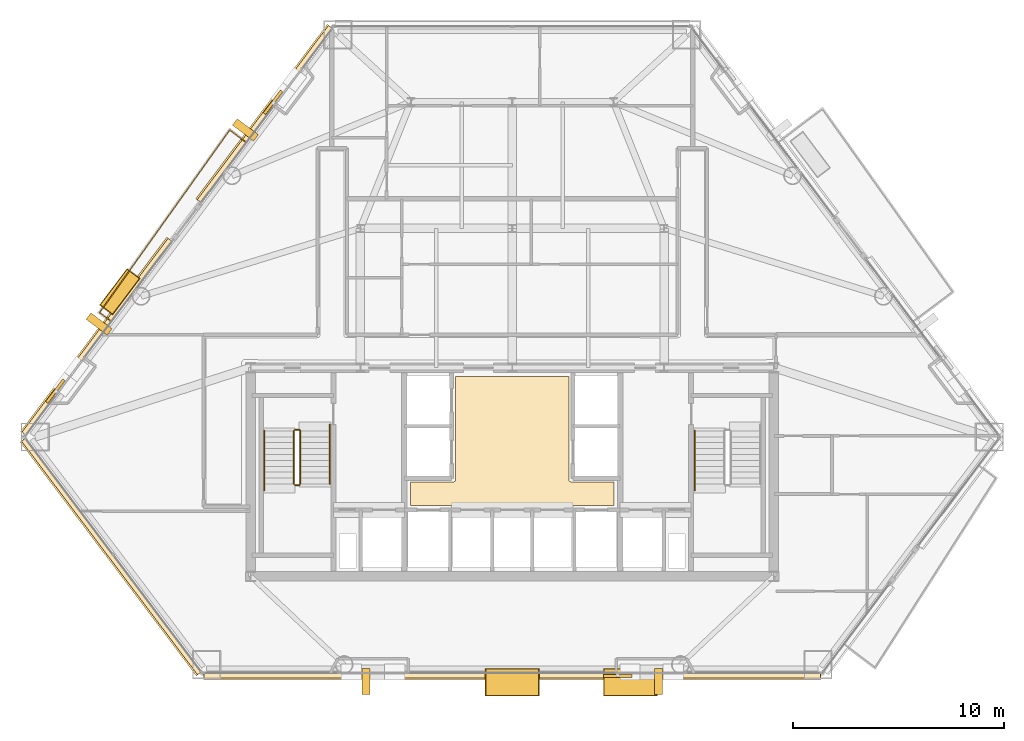
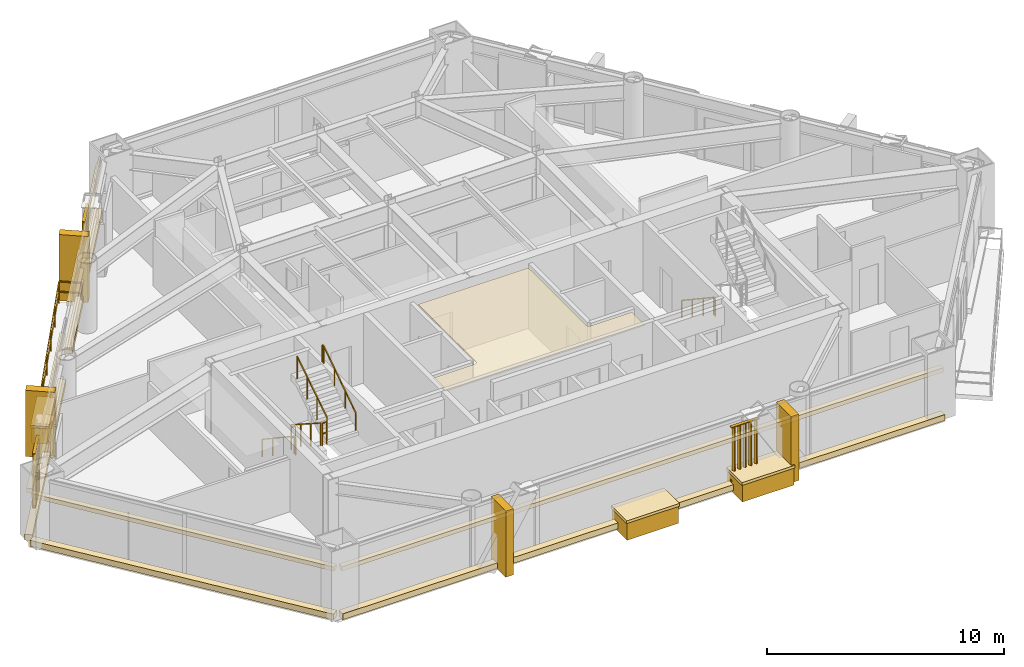
# One storey, part 10 of 11: 19 coverings, 8 railings, 3 shading devices.
"""IFC4 building model written with IfcOpenShell, lengths in metres."""

from ifc_helpers import new_model, si_unit, direction, frame, origin, origin_2d, place, context, subcontext, project, spatial, polyline, rectangle, outline, extrude, source, transform, mapped, material, layer, layer_set, type_object, type_shapes, element, save


model = new_model("IFC4")

# Units and contexts
model_context = context("Model", 3, precision=1e-05, world=origin(), true_north=direction((0.0, 1.0)))
body_context = subcontext(model_context, "Body", "Model", "MODEL_VIEW")
ifc_project = project(units=[si_unit("LENGTHUNIT", "METRE"), si_unit("AREAUNIT", "SQUARE_METRE"), si_unit("VOLUMEUNIT", "CUBIC_METRE"), si_unit("PLANEANGLEUNIT", "RADIAN"), si_unit("MASSUNIT", "GRAM", prefix="KILO")], contexts=[model_context])

# Site, building, storey
site_placement = place(None, origin())
site = spatial("IfcSite", under=ifc_project, at=site_placement, CompositionType="ELEMENT")
building_placement = place(site_placement, origin())
building = spatial("IfcBuilding", under=site, at=building_placement, Name="Talgorran Terracotta Tower", CompositionType="ELEMENT")
storey_placement = place(building_placement, frame((0.0, 0.0, 27.89990234375)))
storey = spatial("IfcBuildingStorey", under=building, at=storey_placement, Name="L06", CompositionType="ELEMENT", Elevation=27.89990234375)

# Coverings
ifc_material_1 = material(Name="Kiln-Fired Terracotta Ochre Ceramic", Category="masonry")
ifc_layer_1 = layer(ifc_material_1, 0.179931640625, Name="COV_BAGUETTE_TERRACOTTA_SCREEN")
ifc_layer_set_1 = layer_set([ifc_layer_1], Name="Kiln-Fired Terracotta Ochre Ceramic")
covering_type_1 = type_object("IfcCoveringType", Name="COV_BAGUETTE_TERRACOTTA_SCREEN", PredefinedType="CLADDING", material=ifc_layer_set_1)
covering_1_placement = place(storey_placement, frame((-18.9912109375, -13.1455078125, 2.41015625), z_axis=(0.0, 0.0, 1.0), x_axis=(0.601815023152, -0.798635510047, 0.0)))
element("IfcCovering", 1, at=covering_1_placement, inside=storey, type_object=covering_type_1, Name="L06 Terracotta Baguette Solar Screen Assembly F0", PredefinedType="CLADDING", context=body_context, shape_type="SweptSolid", body=[
    extrude(rectangle(XDim=13.870849609375, YDim=0.260009765625, at=origin_2d()), origin(), (0.0, 0.0, 1.0), 0.219970703125),
])
covering_2_placement = place(storey_placement, frame((0.0, -18.780029296875, 2.41015625), z_axis=(0.0, 0.0, 1.0), x_axis=(1.0, 0.0, 0.0)))
element("IfcCovering", 2, at=covering_2_placement, inside=storey, type_object=covering_type_1, Name="L06 Terracotta Baguette Solar Screen Assembly F1", PredefinedType="CLADDING", context=body_context, shape_type="SweptSolid", body=[
    extrude(rectangle(XDim=29.250732421875, YDim=0.260009765625, at=origin_2d()), origin(), (0.0, 0.0, 1.0), 0.219970703125),
])
covering_3_placement = place(storey_placement, frame((-11.719970703125, 7.813720703125, 2.41015625), z_axis=(0.0, 0.0, 1.0), x_axis=(-0.601801084241, -0.798646013579, 0.0)))
element("IfcCovering", 3, at=covering_3_placement, inside=storey, type_object=covering_type_1, Name="L06 Terracotta Baguette Solar Screen Assembly F60", PredefinedType="CLADDING", context=body_context, shape_type="SweptSolid", body=[
    extrude(rectangle(XDim=10.33984375, YDim=0.260009765625, at=origin_2d()), origin(), (0.0, 0.0, 1.0), 0.219970703125),
])
covering_4_placement = place(storey_placement, frame((-19.67822265625, -2.747314453125, 2.41015625), z_axis=(0.0, 0.0, 1.0), x_axis=(-0.601815023152, -0.798635510047, 0.0)))
element("IfcCovering", 4, at=covering_4_placement, inside=storey, type_object=covering_type_1, Name="L06 Terracotta Baguette Solar Screen Assembly F61", PredefinedType="CLADDING", context=body_context, shape_type="SweptSolid", body=[
    extrude(rectangle(XDim=11.5078125, YDim=0.260009765625, at=origin_2d()), origin(), (0.0, 0.0, 1.0), 0.219970703125),
])
ifc_material_2 = material(Name="Flush Moisture-Resistant Plaster")
ifc_layer_2 = layer(ifc_material_2, 0.01806640625, Name="COV_CEIL_PLASTER")
ifc_layer_set_2 = layer_set([ifc_layer_2], Name="Flush Moisture-Resistant Plaster")
covering_type_2 = type_object("IfcCoveringType", Name="COV_CEIL_PLASTER", PredefinedType="CEILING", material=ifc_layer_set_2)
covering_5_placement = place(storey_placement, frame((0.0, 0.0, 3.260009765625)))
element("IfcCovering", 5, at=covering_5_placement, inside=storey, type_object=covering_type_2, Name="CEIL-L06-1", PredefinedType="CEILING", context=body_context, shape_type="SweptSolid", body=[
    extrude(outline(polyline([(-4.830078125, -9.6201171875), (-2.800048828125, -9.6201171875), (-2.7880859375, -9.619384765625), (-2.776611328125, -9.61767578125), (-2.76513671875, -9.61474609375), (-2.754150390625, -9.61083984375), (-2.743408203125, -9.605712890625), (-2.7333984375, -9.599853515625), (-2.723876953125, -9.5927734375), (-2.715087890625, -9.5849609375), (-2.707275390625, -9.576171875), (-2.7001953125, -9.566650390625), (-2.694091796875, -9.556640625), (-2.689208984375, -9.5458984375), (-2.685302734375, -9.534912109375), (-2.682373046875, -9.5234375), (-2.6806640625, -9.51171875), (-2.679931640625, -9.5), (-2.679931640625, -4.6201171875), (2.679931640625, -4.6201171875), (2.679931640625, -9.5), (2.6806640625, -9.51171875), (2.682373046875, -9.5234375), (2.685302734375, -9.534912109375), (2.689208984375, -9.5458984375), (2.694091796875, -9.556640625), (2.7001953125, -9.566650390625), (2.707275390625, -9.576171875), (2.715087890625, -9.5849609375), (2.723876953125, -9.5927734375), (2.7333984375, -9.599853515625), (2.743408203125, -9.605712890625), (2.754150390625, -9.61083984375), (2.76513671875, -9.61474609375), (2.776611328125, -9.61767578125), (2.7880859375, -9.619384765625), (2.800048828125, -9.6201171875), (4.830078125, -9.6201171875), (4.830078125, -10.72998046875), (-4.830078125, -10.72998046875), (-4.830078125, -9.6201171875)])), origin(), (0.0, 0.0, 1.0), 0.02001953125),
])
ifc_material_3 = material(Name="Honed Limestone and Terracotta Planter", Category="masonry")
ifc_layer_3 = layer(ifc_material_3, 0.1201171875, Name="COV_PLANTER_BOX")
ifc_layer_set_3 = layer_set([ifc_layer_3], Name="Honed Limestone and Terracotta Planter")
covering_type_3 = type_object("IfcCoveringType", Name="COV_PLANTER_BOX", PredefinedType="CLADDING", material=ifc_layer_set_3)
for number, where, z_axis, x_axis, name in (
    (6, (0.0, -19.1201171875, -0.179931640625), (0.0, 0.0, 1.0), (1.0, 0.0, 0.0), "L06 Staggered South Facade Planter Box 1"),
    (7, (5.60693359375, -19.1201171875, -0.179931640625), (0.0, 0.0, 1.0), (1.0, 0.0, 0.0), "L06 Staggered South Facade Planter Box 2"),
):
    element("IfcCovering", number, at=place(storey_placement, frame(where, z_axis=z_axis, x_axis=x_axis)), inside=storey, type_object=covering_type_3, Name=name, PredefinedType="CLADDING", context=body_context, shape_type="SweptSolid", body=[
        extrude(rectangle(XDim=2.5, YDim=1.25, at=origin_2d()), origin(), (0.0, 0.0, 1.0), 0.919921875),
    ])
covering_6_placement = place(storey_placement, frame((-18.60498046875, -0.60009765625, -0.02001953125), z_axis=(0.0, 0.0, 1.0), x_axis=(-0.601815023152, -0.798635510047, 0.0)))
element("IfcCovering", 8, at=covering_6_placement, inside=storey, type_object=covering_type_3, Name="L06 Staggered Balcony Planter Box BAL-NW", PredefinedType="CLADDING", context=body_context, shape_type="SweptSolid", body=[
    extrude(rectangle(XDim=2.10009765625, YDim=0.719970703125, at=origin_2d()), origin(), (0.0, 0.0, 1.0), 0.860107421875),
])
ifc_material_4 = material(Name="Kiln-Fired Terracotta Planter Rim", Category="masonry")
ifc_layer_4 = layer(ifc_material_4, 0.10009765625, Name="COV_PLANTER_RIM")
ifc_layer_set_4 = layer_set([ifc_layer_4], Name="Kiln-Fired Terracotta Planter Rim")
covering_type_4 = type_object("IfcCoveringType", Name="COV_PLANTER_RIM", PredefinedType="CLADDING", material=ifc_layer_set_4)
for number, where, z_axis, x_axis, name in (
    (9, (0.0, -19.1201171875, 0.7099609375), (0.0, 0.0, 1.0), (1.0, 0.0, 0.0), "L06 South Planter Terracotta Rim 1"),
    (10, (5.60693359375, -19.1201171875, 0.7099609375), (0.0, 0.0, 1.0), (1.0, 0.0, 0.0), "L06 South Planter Terracotta Rim 2"),
):
    element("IfcCovering", number, at=place(storey_placement, frame(where, z_axis=z_axis, x_axis=x_axis)), inside=storey, type_object=covering_type_4, Name=name, PredefinedType="CLADDING", context=body_context, shape_type="SweptSolid", body=[
        extrude(rectangle(XDim=2.580078125, YDim=1.320068359375, at=origin_2d()), origin(), (0.0, 0.0, 1.0), 0.139892578125),
    ])
covering_7_placement = place(storey_placement, frame((-18.60498046875, -0.60009765625, 0.800048828125), z_axis=(0.0, 0.0, 1.0), x_axis=(-0.601815023152, -0.798635510047, 0.0)))
element("IfcCovering", 11, at=covering_7_placement, inside=storey, type_object=covering_type_4, Name="L06 Balcony Planter Terracotta Rim BAL-NW", PredefinedType="CLADDING", context=body_context, shape_type="SweptSolid", body=[
    extrude(rectangle(XDim=2.179931640625, YDim=0.780029296875, at=origin_2d()), origin(), (0.0, 0.0, 1.0), 0.1201171875),
])
ifc_material_5 = material(Name="Honed Limestone Cladding", Category="masonry")
ifc_layer_5 = layer(ifc_material_5, 0.094970703125, Name="COV_PORTAL_LIME")
ifc_layer_set_5 = layer_set([ifc_layer_5], Name="Honed Limestone Cladding")
covering_type_5 = type_object("IfcCoveringType", Name="COV_PORTAL_LIME", PredefinedType="CLADDING", material=ifc_layer_set_5)
covering_8_placement = place(storey_placement, frame((-19.023193359375, -13.16943359375, -0.0400390625), z_axis=(0.0, 0.0, 1.0), x_axis=(0.601815023152, -0.798635510047, 0.0)))
element("IfcCovering", 12, at=covering_8_placement, inside=storey, type_object=covering_type_5, Name="L06 Striped Postmodern Portal Cladding Band F0", PredefinedType="CLADDING", context=body_context, shape_type="SweptSolid", body=[
    extrude(rectangle(XDim=13.890869140625, YDim=0.340087890625, at=origin_2d()), origin(), (0.0, 0.0, 1.0), 0.300048828125),
])
covering_9_placement = place(storey_placement, frame((0.0, -18.820068359375, -0.0400390625), z_axis=(0.0, 0.0, 1.0), x_axis=(1.0, 0.0, 0.0)))
element("IfcCovering", 13, at=covering_9_placement, inside=storey, type_object=covering_type_5, Name="L06 Striped Postmodern Portal Cladding Band F1", PredefinedType="CLADDING", context=body_context, shape_type="SweptSolid", body=[
    extrude(rectangle(XDim=29.270751953125, YDim=0.340087890625, at=origin_2d()), origin(), (0.0, 0.0, 1.0), 0.300048828125),
])
covering_10_placement = place(storey_placement, frame((-11.751953125, 7.837890625, -0.0400390625), z_axis=(0.0, 0.0, 1.0), x_axis=(-0.601801084241, -0.798646013579, 0.0)))
element("IfcCovering", 14, at=covering_10_placement, inside=storey, type_object=covering_type_5, Name="L06 Striped Postmodern Portal Cladding Band F60", PredefinedType="CLADDING", context=body_context, shape_type="SweptSolid", body=[
    extrude(rectangle(XDim=10.35986328125, YDim=0.340087890625, at=origin_2d()), origin(), (0.0, 0.0, 1.0), 0.300048828125),
])
covering_11_placement = place(storey_placement, frame((-19.710205078125, -2.72314453125, -0.0400390625), z_axis=(0.0, 0.0, 1.0), x_axis=(-0.601815023152, -0.798635510047, 0.0)))
element("IfcCovering", 15, at=covering_11_placement, inside=storey, type_object=covering_type_5, Name="L06 Striped Postmodern Portal Cladding Band F61", PredefinedType="CLADDING", context=body_context, shape_type="SweptSolid", body=[
    extrude(rectangle(XDim=11.527587890625, YDim=0.340087890625, at=origin_2d()), origin(), (0.0, 0.0, 1.0), 0.300048828125),
])
for number, where, z_axis, x_axis, name in (
    (16, (6.934814453125, -19.080078125, -0.0498046875), (0.0, 0.0, 1.0), (1.0, 0.0, 0.0), "L06 White Striped Portal Fin F1-2"),
    (17, (-19.591064453125, -2.133056640625, -0.0498046875), (0.0, 0.0, 1.0), (-0.601815023152, -0.798635510047, 0.0), "L06 White Striped Portal Fin F5-2"),
):
    element("IfcCovering", number, at=place(storey_placement, frame(where, z_axis=z_axis, x_axis=x_axis)), inside=storey, type_object=covering_type_5, Name=name, PredefinedType="CLADDING", context=body_context, shape_type="SweptSolid", body=[
        extrude(rectangle(XDim=0.3798828125, YDim=1.25, at=origin_2d()), origin(), (0.0, 0.0, 1.0), 3.39990234375),
    ])
ifc_material_6 = material(Name="Kiln-Fired Terracotta Cladding", Category="masonry")
ifc_layer_6 = layer(ifc_material_6, 0.090087890625, Name="COV_PORTAL_TERRA")
ifc_layer_set_6 = layer_set([ifc_layer_6], Name="Kiln-Fired Terracotta Cladding")
covering_type_6 = type_object("IfcCoveringType", Name="COV_PORTAL_TERRA", PredefinedType="CLADDING", material=ifc_layer_set_6)
for number, where, z_axis, x_axis, name in (
    (18, (-6.934814453125, -19.080078125, -0.0498046875), (0.0, 0.0, 1.0), (1.0, 0.0, 0.0), "L06 Terracotta Striped Portal Fin F1-1"),
    (19, (-12.656005859375, 7.070068359375, -0.0498046875), (0.0, 0.0, 1.0), (-0.601815023152, -0.798635510047, 0.0), "L06 Terracotta Striped Portal Fin F5-1"),
):
    element("IfcCovering", number, at=place(storey_placement, frame(where, z_axis=z_axis, x_axis=x_axis)), inside=storey, type_object=covering_type_6, Name=name, PredefinedType="CLADDING", context=body_context, shape_type="SweptSolid", body=[
        extrude(rectangle(XDim=0.3798828125, YDim=1.25, at=origin_2d()), origin(), (0.0, 0.0, 1.0), 3.39990234375),
    ])

# Railings
ifc_material_7 = material(Name="Laminated Glass and Stainless Steel 316", Category="steel")
railing_type_1 = type_object("IfcRailingType", Name="RL_BALCONY_1150", PredefinedType="BALUSTRADE", material=ifc_material_7)
railing_1_placement = place(storey_placement, frame((-12.6220703125, 6.483642578125, 0.0)))
element("IfcRailing", 20, at=railing_1_placement, inside=storey, type_object=railing_type_1, Name="RL-L06-BAL-BAL-NW", PredefinedType="BALUSTRADE", context=body_context, shape_type="SweptSolid", body=[
    extrude(rectangle(XDim=0.048095703125, YDim=0.048095703125, at=origin_2d()), frame((0.0, 0.0, 1.1259765625), z_axis=(-0.798605457293, 0.601854902432, 0.0), x_axis=(-0.601854902432, -0.798605457293, 0.0)), (0.0, 0.0, 1.0), 0.9677734375),
    extrude(rectangle(XDim=0.048095703125, YDim=0.048095703125, at=origin_2d()), frame((0.0, 0.0, 0.597900390625), z_axis=(-0.798605457293, 0.601854902432, 0.0), x_axis=(-0.601854902432, -0.798605457293, 0.0)), (0.0, 0.0, 1.0), 0.9677734375),
    extrude(rectangle(XDim=0.048095703125, YDim=0.048095703125, at=origin_2d()), frame((-0.77294921875, 0.58251953125, 1.1259765625), z_axis=(-0.580345042591, -0.814370696637, 0.0), x_axis=(0.814370696637, -0.580345042591, 0.0)), (0.0, 0.0, 1.0), 10.631591796875),
    extrude(rectangle(XDim=0.048095703125, YDim=0.048095703125, at=origin_2d()), frame((-0.77294921875, 0.58251953125, 0.597900390625), z_axis=(-0.580345042591, -0.814370696637, 0.0), x_axis=(0.814370696637, -0.580345042591, 0.0)), (0.0, 0.0, 1.0), 10.631591796875),
    extrude(rectangle(XDim=0.048095703125, YDim=0.048095703125, at=origin_2d()), frame((-6.94287109375, -8.075439453125, 1.1259765625), z_axis=(0.798457482999, -0.60205120035, 0.0), x_axis=(0.60205120035, 0.798457482999, 0.0)), (0.0, 0.0, 1.0), 0.684814453125),
    extrude(rectangle(XDim=0.048095703125, YDim=0.048095703125, at=origin_2d()), frame((-6.94287109375, -8.075439453125, 0.597900390625), z_axis=(0.798457482999, -0.60205120035, 0.0), x_axis=(0.60205120035, 0.798457482999, 0.0)), (0.0, 0.0, 1.0), 0.684814453125),
    extrude(rectangle(XDim=0.0419921875, YDim=0.0419921875, at=origin_2d()), origin(), (0.0, 0.0, 1.0), 1.101806640625),
    extrude(rectangle(XDim=0.0419921875, YDim=0.0419921875, at=origin_2d()), frame((-0.77294921875, 0.58251953125, 0.0)), (0.0, 0.0, 1.0), 1.101806640625),
    extrude(rectangle(XDim=0.0419921875, YDim=0.0419921875, at=origin_2d()), frame((-1.80126953125, -0.8603515625, 0.0)), (0.0, 0.0, 1.0), 1.101806640625),
    extrude(rectangle(XDim=0.0419921875, YDim=0.0419921875, at=origin_2d()), frame((-2.82958984375, -2.303466796875, 0.0)), (0.0, 0.0, 1.0), 1.101806640625),
    extrude(rectangle(XDim=0.0419921875, YDim=0.0419921875, at=origin_2d()), frame((-3.85791015625, -3.74658203125, 0.0)), (0.0, 0.0, 1.0), 1.101806640625),
    extrude(rectangle(XDim=0.0419921875, YDim=0.0419921875, at=origin_2d()), frame((-4.88623046875, -5.189453125, 0.0)), (0.0, 0.0, 1.0), 1.101806640625),
    extrude(rectangle(XDim=0.0419921875, YDim=0.0419921875, at=origin_2d()), frame((-5.91455078125, -6.63232421875, 0.0)), (0.0, 0.0, 1.0), 1.101806640625),
    extrude(rectangle(XDim=0.0419921875, YDim=0.0419921875, at=origin_2d()), frame((-6.94287109375, -8.075439453125, 0.0)), (0.0, 0.0, 1.0), 1.101806640625),
    extrude(rectangle(XDim=0.0419921875, YDim=0.0419921875, at=origin_2d()), frame((-6.39599609375, -8.48779296875, 0.0)), (0.0, 0.0, 1.0), 1.101806640625),
])
ifc_material_8 = material(Name="Steel S355 (300PLUS)", Category="steel")
railing_type_2 = type_object("IfcRailingType", Name="RL_HANDRAIL_920", PredefinedType="HANDRAIL", material=ifc_material_8)
railing_2_placement = place(storey_placement, frame((-11.75, -7.199951171875, 0.18017578125)))
element("IfcRailing", 21, at=railing_2_placement, inside=storey, type_object=railing_type_2, Name="L06 ST-01 stair handrail 1", PredefinedType="HANDRAIL", context=body_context, shape_type="SweptSolid", body=[
    extrude(rectangle(XDim=0.048095703125, YDim=0.048095703125, at=origin_2d()), frame((0.0, 0.0, 0.89599609375), z_axis=(0.0, -0.832073444223, 0.554665469827), x_axis=(1.0, 0.0, 0.0)), (0.0, 0.0, 1.0), 3.244873046875),
    extrude(rectangle(XDim=0.048095703125, YDim=0.048095703125, at=origin_2d()), frame((0.0, -2.699951171875, 2.69580078125), z_axis=(0.0, -1.0, 0.0), x_axis=(1.0, 0.0, 0.0)), (0.0, 0.0, 1.0), 0.1201171875),
    extrude(rectangle(XDim=0.0419921875, YDim=0.0419921875, at=origin_2d()), origin(), (0.0, 0.0, 1.0), 0.871826171875),
    extrude(rectangle(XDim=0.0419921875, YDim=0.0419921875, at=origin_2d()), frame((0.0, -0.89990234375, 0.599853515625)), (0.0, 0.0, 1.0), 0.871826171875),
    extrude(rectangle(XDim=0.0419921875, YDim=0.0419921875, at=origin_2d()), frame((0.0, -1.800048828125, 1.199951171875)), (0.0, 0.0, 1.0), 0.871826171875),
    extrude(rectangle(XDim=0.0419921875, YDim=0.0419921875, at=origin_2d()), frame((0.0, -2.699951171875, 1.7998046875)), (0.0, 0.0, 1.0), 0.871826171875),
    extrude(rectangle(XDim=0.0419921875, YDim=0.0419921875, at=origin_2d()), frame((0.0, -2.820068359375, 1.7998046875)), (0.0, 0.0, 1.0), 0.871826171875),
])
railing_3_placement = place(storey_placement, frame((-8.64990234375, -9.719970703125, 1.97998046875)))
element("IfcRailing", 22, at=railing_3_placement, inside=storey, type_object=railing_type_2, Name="L06 ST-01 stair handrail 2", PredefinedType="HANDRAIL", context=body_context, shape_type="SweptSolid", body=[
    extrude(rectangle(XDim=0.048095703125, YDim=0.048095703125, at=origin_2d()), frame((0.0, 0.0, 0.89599609375), z_axis=(0.0, 0.832038719335, 0.554717558338), x_axis=(-1.0, 0.0, 0.0)), (0.0, 0.0, 1.0), 3.244873046875),
    extrude(rectangle(XDim=0.048095703125, YDim=0.048095703125, at=origin_2d()), frame((0.0, 2.699951171875, 2.69580078125), z_axis=(0.0, 1.0, 0.0), x_axis=(-1.0, 0.0, 0.0)), (0.0, 0.0, 1.0), 0.1201171875),
    extrude(rectangle(XDim=0.0419921875, YDim=0.0419921875, at=origin_2d()), origin(), (0.0, 0.0, 1.0), 0.871826171875),
    extrude(rectangle(XDim=0.0419921875, YDim=0.0419921875, at=origin_2d()), frame((0.0, 0.89990234375, 0.60009765625)), (0.0, 0.0, 1.0), 0.871826171875),
    extrude(rectangle(XDim=0.0419921875, YDim=0.0419921875, at=origin_2d()), frame((0.0, 1.800048828125, 1.199951171875)), (0.0, 0.0, 1.0), 0.871826171875),
    extrude(rectangle(XDim=0.0419921875, YDim=0.0419921875, at=origin_2d()), frame((0.0, 2.699951171875, 1.800048828125)), (0.0, 0.0, 1.0), 0.871826171875),
    extrude(rectangle(XDim=0.0419921875, YDim=0.0419921875, at=origin_2d()), frame((0.0, 2.820068359375, 1.800048828125)), (0.0, 0.0, 1.0), 0.871826171875),
])
railing_4_placement = place(storey_placement, frame((8.64990234375, -7.199951171875, 0.18017578125)))
element("IfcRailing", 23, at=railing_4_placement, inside=storey, type_object=railing_type_2, Name="L06 ST-02 stair handrail 1", PredefinedType="HANDRAIL", context=body_context, shape_type="SweptSolid", body=[
    extrude(rectangle(XDim=0.048095703125, YDim=0.048095703125, at=origin_2d()), frame((0.0, 0.0, 0.89599609375), z_axis=(0.0, -0.832073444223, 0.554665469827), x_axis=(1.0, 0.0, 0.0)), (0.0, 0.0, 1.0), 3.244873046875),
    extrude(rectangle(XDim=0.048095703125, YDim=0.048095703125, at=origin_2d()), frame((0.0, -2.699951171875, 2.69580078125), z_axis=(0.0, -1.0, 0.0), x_axis=(1.0, 0.0, 0.0)), (0.0, 0.0, 1.0), 0.1201171875),
    extrude(rectangle(XDim=0.0419921875, YDim=0.0419921875, at=origin_2d()), origin(), (0.0, 0.0, 1.0), 0.871826171875),
    extrude(rectangle(XDim=0.0419921875, YDim=0.0419921875, at=origin_2d()), frame((0.0, -0.89990234375, 0.599853515625)), (0.0, 0.0, 1.0), 0.871826171875),
    extrude(rectangle(XDim=0.0419921875, YDim=0.0419921875, at=origin_2d()), frame((0.0, -1.800048828125, 1.199951171875)), (0.0, 0.0, 1.0), 0.871826171875),
    extrude(rectangle(XDim=0.0419921875, YDim=0.0419921875, at=origin_2d()), frame((0.0, -2.699951171875, 1.7998046875)), (0.0, 0.0, 1.0), 0.871826171875),
    extrude(rectangle(XDim=0.0419921875, YDim=0.0419921875, at=origin_2d()), frame((0.0, -2.820068359375, 1.7998046875)), (0.0, 0.0, 1.0), 0.871826171875),
])
railing_type_3 = type_object("IfcRailingType", Name="RL_STAIR_GUARD", PredefinedType="GUARDRAIL", material=ifc_material_8)
railing_5_placement = place(storey_placement, frame((-10.35009765625, -7.199951171875, 0.18017578125)))
element("IfcRailing", 24, at=railing_5_placement, inside=storey, type_object=railing_type_3, Name="L06 ST-01 stair guard 1", PredefinedType="GUARDRAIL", context=body_context, shape_type="SweptSolid", body=[
    extrude(rectangle(XDim=0.048095703125, YDim=0.048095703125, at=origin_2d()), frame((0.0, 0.0, 1.15576171875), z_axis=(0.0, -0.841199657755, 0.540724639528), x_axis=(1.0, 0.0, 0.0)), (0.0, 0.0, 1.0), 2.995849609375),
    extrude(rectangle(XDim=0.0419921875, YDim=0.0419921875, at=origin_2d()), origin(), (0.0, 0.0, 1.0), 1.1318359375),
    extrude(rectangle(XDim=0.0419921875, YDim=0.0419921875, at=origin_2d()), frame((0.0, -0.840087890625, 0.5400390625)), (0.0, 0.0, 1.0), 1.1318359375),
    extrude(rectangle(XDim=0.0419921875, YDim=0.0419921875, at=origin_2d()), frame((0.0, -1.679931640625, 1.079833984375)), (0.0, 0.0, 1.0), 1.1318359375),
    extrude(rectangle(XDim=0.0419921875, YDim=0.0419921875, at=origin_2d()), frame((0.0, -2.52001953125, 1.619873046875)), (0.0, 0.0, 1.0), 1.1318359375),
])
railing_6_placement = place(storey_placement, frame((-10.300048828125, -9.77001953125, 1.800048828125)))
element("IfcRailing", 25, at=railing_6_placement, inside=storey, type_object=railing_type_3, Name="L06 ST-01 stair guard 2", PredefinedType="GUARDRAIL", context=body_context, shape_type="SweptSolid", body=[
    extrude(rectangle(XDim=0.048095703125, YDim=0.048095703125, at=origin_2d()), frame((0.0, 0.0, 1.15576171875), z_axis=(1.0, 0.0, 0.0), x_axis=(0.0, 1.0, 0.0)), (0.0, 0.0, 1.0), 0.199951171875),
    extrude(rectangle(XDim=0.048095703125, YDim=0.048095703125, at=origin_2d()), frame((0.0, 0.0, 0.613525390625), z_axis=(1.0, 0.0, 0.0), x_axis=(0.0, 1.0, 0.0)), (0.0, 0.0, 1.0), 0.199951171875),
    extrude(rectangle(XDim=0.0419921875, YDim=0.0419921875, at=origin_2d()), origin(), (0.0, 0.0, 1.0), 1.1318359375),
    extrude(rectangle(XDim=0.0419921875, YDim=0.0419921875, at=origin_2d()), frame((0.199951171875, 0.0, 0.0)), (0.0, 0.0, 1.0), 1.1318359375),
])
railing_7_placement = place(storey_placement, frame((-10.050048828125, -9.719970703125, 1.97998046875)))
element("IfcRailing", 26, at=railing_7_placement, inside=storey, type_object=railing_type_3, Name="L06 ST-01 stair guard 3", PredefinedType="GUARDRAIL", context=body_context, shape_type="SweptSolid", body=[
    extrude(rectangle(XDim=0.048095703125, YDim=0.048095703125, at=origin_2d()), frame((0.0, 0.0, 1.15576171875), z_axis=(0.0, 0.841162588446, 0.540782303519), x_axis=(-1.0, 0.0, 0.0)), (0.0, 0.0, 1.0), 2.995849609375),
    extrude(rectangle(XDim=0.0419921875, YDim=0.0419921875, at=origin_2d()), origin(), (0.0, 0.0, 1.0), 1.1318359375),
    extrude(rectangle(XDim=0.0419921875, YDim=0.0419921875, at=origin_2d()), frame((0.0, 0.840087890625, 0.5400390625)), (0.0, 0.0, 1.0), 1.1318359375),
    extrude(rectangle(XDim=0.0419921875, YDim=0.0419921875, at=origin_2d()), frame((0.0, 1.679931640625, 1.080078125)), (0.0, 0.0, 1.0), 1.1318359375),
    extrude(rectangle(XDim=0.0419921875, YDim=0.0419921875, at=origin_2d()), frame((0.0, 2.52001953125, 1.6201171875)), (0.0, 0.0, 1.0), 1.1318359375),
])
railing_8_placement = place(storey_placement, frame((-10.300048828125, -7.14990234375, 0.0)))
element("IfcRailing", 27, at=railing_8_placement, inside=storey, type_object=railing_type_3, Name="L06 ST-01 stair guard 4", PredefinedType="GUARDRAIL", context=body_context, shape_type="SweptSolid", body=[
    extrude(rectangle(XDim=0.048095703125, YDim=0.048095703125, at=origin_2d()), frame((0.0, 0.0, 1.15576171875), z_axis=(1.0, 0.0, 0.0), x_axis=(0.0, 1.0, 0.0)), (0.0, 0.0, 1.0), 0.199951171875),
    extrude(rectangle(XDim=0.048095703125, YDim=0.048095703125, at=origin_2d()), frame((0.0, 0.0, 0.613525390625), z_axis=(1.0, 0.0, 0.0), x_axis=(0.0, 1.0, 0.0)), (0.0, 0.0, 1.0), 0.199951171875),
    extrude(rectangle(XDim=0.0419921875, YDim=0.0419921875, at=origin_2d()), origin(), (0.0, 0.0, 1.0), 1.1318359375),
    extrude(rectangle(XDim=0.0419921875, YDim=0.0419921875, at=origin_2d()), frame((0.199951171875, 0.0, 0.0)), (0.0, 0.0, 1.0), 1.1318359375),
])

# Shading devices
ifc_material_9 = material(Name="Kiln-Fired Terracotta", Category="masonry")
ifc_layer_7 = layer(ifc_material_9, 0.139892578125, Name="SHD_BAGUETTE_TERRA")
ifc_layer_set_7 = layer_set([ifc_layer_7], Name="Kiln-Fired Terracotta")
shading_device_type = type_object("IfcShadingDeviceType", Name="SHD_BAGUETTE_TERRA", PredefinedType="JALOUSIE", material=ifc_layer_set_7)
shared_shape = source(origin(), body_context, "Body", "SweptSolid", [
    extrude(rectangle(XDim=1.35009765625, YDim=0.139892578125, at=origin_2d()), origin(), (0.0, 0.0, 1.0), 0.054931640625),
    extrude(rectangle(XDim=1.35009765625, YDim=0.139892578125, at=origin_2d()), frame((0.0, 0.0, 2.7451171875)), (0.0, 0.0, 1.0), 0.054931640625),
    extrude(rectangle(XDim=0.074951171875, YDim=0.139892578125, at=origin_2d()), frame((-0.53515625, 0.0, 0.054931640625), z_axis=(0.0, 0.0, 1.0), x_axis=(0.866025403784, 0.5, 0.0)), (0.0, 0.0, 1.0), 2.690185546875),
    extrude(rectangle(XDim=0.074951171875, YDim=0.139892578125, at=origin_2d()), frame((-0.267578125, 0.0, 0.054931640625), z_axis=(0.0, 0.0, 1.0), x_axis=(0.866025403784, 0.5, 0.0)), (0.0, 0.0, 1.0), 2.690185546875),
    extrude(rectangle(XDim=0.074951171875, YDim=0.139892578125, at=origin_2d()), frame((0.0, 0.0, 0.054931640625), z_axis=(0.0, 0.0, 1.0), x_axis=(0.866025403784, 0.5, 0.0)), (0.0, 0.0, 1.0), 2.690185546875),
    extrude(rectangle(XDim=0.074951171875, YDim=0.139892578125, at=origin_2d()), frame((0.267578125, 0.0, 0.054931640625), z_axis=(0.0, 0.0, 1.0), x_axis=(0.866025403784, 0.5, 0.0)), (0.0, 0.0, 1.0), 2.690185546875),
    extrude(rectangle(XDim=0.074951171875, YDim=0.139892578125, at=origin_2d()), frame((0.53515625, 0.0, 0.054931640625), z_axis=(0.0, 0.0, 1.0), x_axis=(0.866025403784, 0.5, 0.0)), (0.0, 0.0, 1.0), 2.690185546875),
])
type_shapes(shading_device_type, [shared_shape])
for number, where, z_axis, x_axis, name in (
    (28, (5.004150390625, -18.820068359375, 0.35009765625), (0.0, 0.0, 1.0), (1.0, 0.0, 0.0), "BAG-L06-F1"),
    (29, (-11.34521484375, 8.377685546875, 0.35009765625), (0.0, 0.0, 1.0), (-0.601801084241, -0.798646013579, 0.0), "BAG-L06-F60"),
    (30, (-21.66259765625, -5.31396484375, 0.35009765625), (0.0, 0.0, 1.0), (-0.601815023152, -0.798635510047, 0.0), "BAG-L06-F61"),
):
    element("IfcShadingDevice", number, at=place(storey_placement, frame(where, z_axis=z_axis, x_axis=x_axis)), inside=storey, type_object=shading_device_type, Name=name, PredefinedType="JALOUSIE", context=body_context, shape_type="MappedRepresentation", body=[
        mapped(shared_shape, transform((0.0, 0.0, 0.0), scale=1.0)),
    ])

save(model, "model.ifc")
